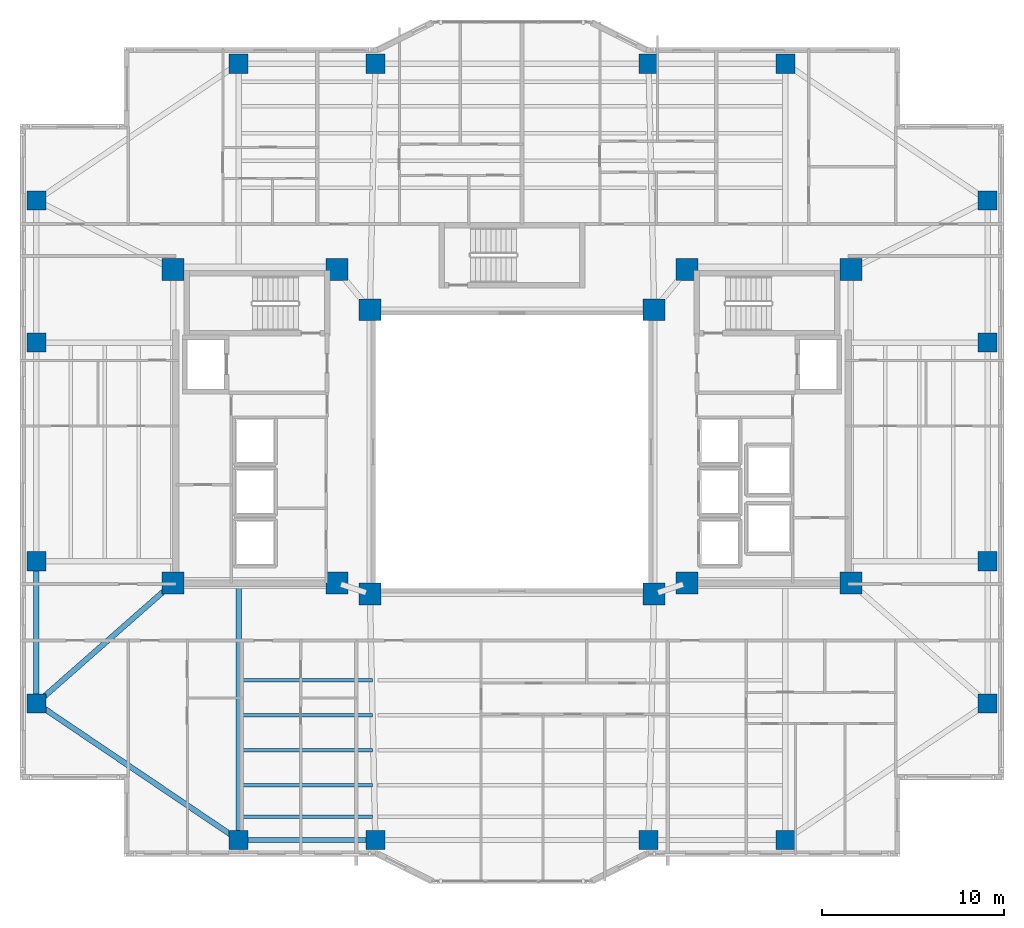
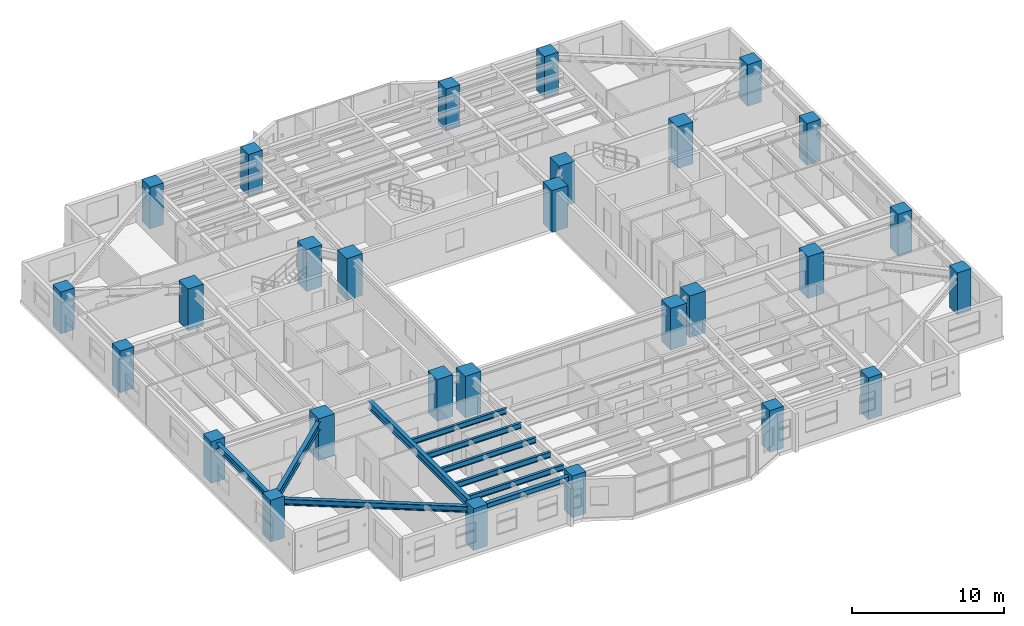
# One storey, part 1 of 19: 28 columns, 10 beams.
"""IFC4 building model written with IfcOpenShell, lengths in metres."""

from ifc_helpers import new_model, si_unit, direction, frame, origin, origin_2d, place, context, subcontext, project, spatial, rectangle, i_section, extrude, material, material_profile, profile_set, type_object, element, save


model = new_model("IFC4")

# Units and contexts
model_context = context("Model", 3, precision=1e-05, world=origin(), true_north=direction((0.0, 1.0)))
body_context = subcontext(model_context, "Body", "Model", "MODEL_VIEW")
ifc_project = project(units=[si_unit("LENGTHUNIT", "METRE"), si_unit("AREAUNIT", "SQUARE_METRE"), si_unit("VOLUMEUNIT", "CUBIC_METRE"), si_unit("PLANEANGLEUNIT", "RADIAN"), si_unit("MASSUNIT", "GRAM", prefix="KILO")], contexts=[model_context])

# Site, building, storey
site_placement = place(None, origin())
site = spatial("IfcSite", under=ifc_project, at=site_placement, CompositionType="ELEMENT")
building_placement = place(site_placement, origin())
building = spatial("IfcBuilding", under=site, at=building_placement, Name="Tarnavaz Court Tower", CompositionType="ELEMENT")
storey_placement = place(building_placement, frame((0.0, 0.0, 81.64990234375)))
storey = spatial("IfcBuildingStorey", under=building, at=storey_placement, Name="L21", CompositionType="ELEMENT", Elevation=81.64990234375)

# Columns
ifc_material_1 = material(Name="Concrete C60/75", Category="concrete")
ifc_material_profile_1 = material_profile(ifc_material_1, rectangle(XDim=1.050048828125, YDim=1.050048828125, at=origin_2d()), Name="RC 1050X1050")
ifc_profile_set_1 = profile_set([ifc_material_profile_1], Name="Concrete C60/75")
column_type_1 = type_object("IfcColumnType", Name="CL-RC1050", PredefinedType="COLUMN", material=ifc_profile_set_1)
for number, where, z_axis, x_axis, name in (
    (1, (-15.0, 21.300048828125, 0.0), (0.0, 0.0, 1.0), (1.0, 0.0, 0.0), "L21 Column PN-1"),
    (2, (-7.5, 21.300048828125, 0.0), (0.0, 0.0, 1.0), (1.0, 0.0, 0.0), "L21 Column PN-2"),
    (3, (7.5, 21.300048828125, 0.0), (0.0, 0.0, 1.0), (1.0, 0.0, 0.0), "L21 Column PN-3"),
    (4, (15.0, 21.300048828125, 0.0), (0.0, 0.0, 1.0), (1.0, 0.0, 0.0), "L21 Column PN-4"),
    (5, (-15.0, -21.300048828125, 0.0), (0.0, 0.0, 1.0), (1.0, 0.0, 0.0), "L21 Column PS-1"),
    (6, (-7.5, -21.300048828125, 0.0), (0.0, 0.0, 1.0), (1.0, 0.0, 0.0), "L21 Column PS-2"),
    (7, (7.5, -21.300048828125, 0.0), (0.0, 0.0, 1.0), (1.0, 0.0, 0.0), "L21 Column PS-3"),
    (8, (15.0, -21.300048828125, 0.0), (0.0, 0.0, 1.0), (1.0, 0.0, 0.0), "L21 Column PS-4"),
    (9, (26.10009765625, -13.800048828125, 0.0), (0.0, 0.0, 1.0), (1.0, 0.0, 0.0), "L21 Column PE-1"),
    (10, (26.10009765625, -6.0, 0.0), (0.0, 0.0, 1.0), (1.0, 0.0, 0.0), "L21 Column PE-2"),
    (11, (26.10009765625, 6.0, 0.0), (0.0, 0.0, 1.0), (1.0, 0.0, 0.0), "L21 Column PE-3"),
    (12, (26.10009765625, 13.800048828125, 0.0), (0.0, 0.0, 1.0), (1.0, 0.0, 0.0), "L21 Column PE-4"),
    (13, (-26.10009765625, -13.800048828125, 0.0), (0.0, 0.0, 1.0), (1.0, 0.0, 0.0), "L21 Column PW-1"),
    (14, (-26.10009765625, -6.0, 0.0), (0.0, 0.0, 1.0), (1.0, 0.0, 0.0), "L21 Column PW-2"),
    (15, (-26.10009765625, 6.0, 0.0), (0.0, 0.0, 1.0), (1.0, 0.0, 0.0), "L21 Column PW-3"),
    (16, (-26.10009765625, 13.800048828125, 0.0), (0.0, 0.0, 1.0), (1.0, 0.0, 0.0), "L21 Column PW-4"),
):
    element("IfcColumn", number, at=place(storey_placement, frame(where, z_axis=z_axis, x_axis=x_axis)), inside=storey, type_object=column_type_1, Name=name, PredefinedType="COLUMN", context=body_context, shape_type="SweptSolid", body=[
        extrude(rectangle(XDim=1.050048828125, YDim=1.050048828125, at=origin_2d()), origin(), (0.0, 0.0, 1.0), 3.35009765625),
    ])
ifc_material_profile_2 = material_profile(ifc_material_1, rectangle(XDim=1.199951171875, YDim=1.199951171875, at=origin_2d()), Name="RC 1200X1200")
ifc_profile_set_2 = profile_set([ifc_material_profile_2], Name="Concrete C60/75")
column_type_2 = type_object("IfcColumnType", Name="CL-RC1200", PredefinedType="COLUMN", material=ifc_profile_set_2)
for number, where, z_axis, x_axis, name in (
    (17, (-7.800048828125, -7.800048828125, 0.0), (0.0, 0.0, 1.0), (1.0, 0.0, 0.0), "L21 Column IW-SW"),
    (18, (7.800048828125, -7.800048828125, 0.0), (0.0, 0.0, 1.0), (1.0, 0.0, 0.0), "L21 Column IW-SE"),
    (19, (-7.800048828125, 7.800048828125, 0.0), (0.0, 0.0, 1.0), (1.0, 0.0, 0.0), "L21 Column IW-NW"),
    (20, (7.800048828125, 7.800048828125, 0.0), (0.0, 0.0, 1.0), (1.0, 0.0, 0.0), "L21 Column IW-NE"),
    (21, (-9.60009765625, -7.199951171875, 0.0), (0.0, 0.0, 1.0), (1.0, 0.0, 0.0), "L21 Column CW-SI"),
    (22, (-9.60009765625, 10.0, 0.0), (0.0, 0.0, 1.0), (1.0, 0.0, 0.0), "L21 Column CW-NI"),
    (23, (9.60009765625, -7.199951171875, 0.0), (0.0, 0.0, 1.0), (1.0, 0.0, 0.0), "L21 Column CE-SI"),
    (24, (9.60009765625, 10.0, 0.0), (0.0, 0.0, 1.0), (1.0, 0.0, 0.0), "L21 Column CE-NI"),
    (25, (-18.60009765625, -7.199951171875, 0.0), (0.0, 0.0, 1.0), (1.0, 0.0, 0.0), "L21 Column CW-SO"),
    (26, (-18.60009765625, 10.0, 0.0), (0.0, 0.0, 1.0), (1.0, 0.0, 0.0), "L21 Column CW-NO"),
    (27, (18.60009765625, -7.199951171875, 0.0), (0.0, 0.0, 1.0), (1.0, 0.0, 0.0), "L21 Column CE-SO"),
    (28, (18.60009765625, 10.0, 0.0), (0.0, 0.0, 1.0), (1.0, 0.0, 0.0), "L21 Column CE-NO"),
):
    element("IfcColumn", number, at=place(storey_placement, frame(where, z_axis=z_axis, x_axis=x_axis)), inside=storey, type_object=column_type_2, Name=name, PredefinedType="COLUMN", context=body_context, shape_type="SweptSolid", body=[
        extrude(rectangle(XDim=1.199951171875, YDim=1.199951171875, at=origin_2d()), origin(), (0.0, 0.0, 1.0), 3.35009765625),
    ])

# Beams
ifc_material_2 = material(Name="Steel S355", Category="steel")
ifc_material_profile_3 = material_profile(ifc_material_2, i_section(OverallWidth=0.300048828125, OverallDepth=0.64990234375, WebThickness=0.01611328125, FlangeThickness=0.031005859375, FilletRadius=0.027099609375, at=origin_2d()), Name="HEB 650")
ifc_profile_set_3 = profile_set([ifc_material_profile_3], Name="Steel S355")
beam_type_1 = type_object("IfcBeamType", Name="BM-G-HEB650", PredefinedType="USERDEFINED", material=ifc_profile_set_3)
beam_1_placement = place(storey_placement, frame((-15.0, -7.239990234375, 2.775146484375), z_axis=(0.0, -1.0, 0.0), x_axis=(1.0, 0.0, 0.0)))
element("IfcBeam", 29, at=beam_1_placement, inside=storey, type_object=beam_type_1, Name="L21 Beam RG-05", ObjectType="GIRDER", PredefinedType="USERDEFINED", context=body_context, shape_type="SweptSolid", body=[
    extrude(i_section(OverallWidth=0.300048828125, OverallDepth=0.64990234375, WebThickness=0.01611328125, FlangeThickness=0.031005859375, FilletRadius=0.027099609375, at=origin_2d()), origin(), (0.0, 0.0, 1.0), 13.840087890625),
])
beam_2_placement = place(storey_placement, frame((-18.76513671875, -7.34521484375, 2.775146484375), z_axis=(-0.750700332035, -0.660642877417, 0.0), x_axis=(0.660642877417, -0.750700332035, 0.0)))
element("IfcBeam", 30, at=beam_2_placement, inside=storey, type_object=beam_type_1, Name="L21 Beam RG-15", ObjectType="GIRDER", PredefinedType="USERDEFINED", context=body_context, shape_type="SweptSolid", body=[
    extrude(i_section(OverallWidth=0.300048828125, OverallDepth=0.64990234375, WebThickness=0.01611328125, FlangeThickness=0.031005859375, FilletRadius=0.027099609375, at=origin_2d()), origin(), (0.0, 0.0, 1.0), 9.550537109375),
])
ifc_material_profile_4 = material_profile(ifc_material_2, i_section(OverallWidth=0.18994140625, OverallDepth=0.449951171875, WebThickness=0.009521484375, FlangeThickness=0.0146484375, FilletRadius=0.02099609375, at=origin_2d()), Name="IPE 450")
ifc_profile_set_4 = profile_set([ifc_material_profile_4], Name="Steel S355")
beam_type_2 = type_object("IfcBeamType", Name="BM-J-IPE450", PredefinedType="JOIST", material=ifc_profile_set_4)
for number, where, z_axis, x_axis, name in (
    (31, (-14.85009765625, -12.52587890625, 2.875), (1.0, 0.0, 0.0), (0.0, 1.0, 0.0), "L21 Beam JS1-1"),
    (32, (-14.85009765625, -14.451904296875, 2.875), (1.0, 0.0, 0.0), (0.0, 1.0, 0.0), "L21 Beam JS2-1"),
    (33, (-14.85009765625, -16.3779296875, 2.875), (1.0, 0.0, 0.0), (0.0, 1.0, 0.0), "L21 Beam JS3-1"),
    (34, (-14.85009765625, -18.303955078125, 2.875), (1.0, 0.0, 0.0), (0.0, 1.0, 0.0), "L21 Beam JS4-1"),
    (35, (-14.85009765625, -20.01611328125, 2.875), (1.0, 0.0, 0.0), (0.0, 1.0, 0.0), "L21 Beam JS5-1"),
):
    element("IfcBeam", number, at=place(storey_placement, frame(where, z_axis=z_axis, x_axis=x_axis)), inside=storey, type_object=beam_type_2, Name=name, PredefinedType="JOIST", context=body_context, shape_type="SweptSolid", body=[
        extrude(i_section(OverallWidth=0.18994140625, OverallDepth=0.449951171875, WebThickness=0.009521484375, FlangeThickness=0.0146484375, FilletRadius=0.02099609375, at=origin_2d()), origin(), (0.0, 0.0, 1.0), 7.2001953125),
    ])
ifc_material_profile_5 = material_profile(ifc_material_2, i_section(OverallWidth=0.300048828125, OverallDepth=0.489990234375, WebThickness=0.011962890625, FlangeThickness=0.02294921875, FilletRadius=0.027099609375, at=origin_2d()), Name="HEA 500")
ifc_profile_set_5 = profile_set([ifc_material_profile_5], Name="Steel S355")
beam_type_3 = type_object("IfcBeamType", Name="BM-SP-HEA500", PredefinedType="SPANDREL", material=ifc_profile_set_5)
beam_3_placement = place(storey_placement, frame((-14.780029296875, -21.300048828125, 2.85498046875), z_axis=(1.0, 0.0, 0.0), x_axis=(0.0, 1.0, 0.0)))
element("IfcBeam", 36, at=beam_3_placement, inside=storey, type_object=beam_type_3, Name="L21 Beam PR-PS-1-PS-2", PredefinedType="SPANDREL", context=body_context, shape_type="SweptSolid", body=[
    extrude(i_section(OverallWidth=0.300048828125, OverallDepth=0.489990234375, WebThickness=0.011962890625, FlangeThickness=0.02294921875, FilletRadius=0.027099609375, at=origin_2d()), origin(), (0.0, 0.0, 1.0), 7.06005859375),
])
beam_4_placement = place(storey_placement, frame((-26.10009765625, -13.580078125, 2.85498046875), z_axis=(0.0, 1.0, 0.0), x_axis=(-1.0, 0.0, 0.0)))
element("IfcBeam", 37, at=beam_4_placement, inside=storey, type_object=beam_type_3, Name="L21 Beam PR-PW-1-PW-2", PredefinedType="SPANDREL", context=body_context, shape_type="SweptSolid", body=[
    extrude(i_section(OverallWidth=0.300048828125, OverallDepth=0.489990234375, WebThickness=0.011962890625, FlangeThickness=0.02294921875, FilletRadius=0.027099609375, at=origin_2d()), origin(), (0.0, 0.0, 1.0), 7.360107421875),
])
beam_5_placement = place(storey_placement, frame((-15.182373046875, -21.1767578125, 2.85498046875), z_axis=(-0.828587314918, 0.559859858854, 0.0), x_axis=(-0.559859858854, -0.828587314918, 0.0)))
element("IfcBeam", 38, at=beam_5_placement, inside=storey, type_object=beam_type_3, Name="L21 Beam PR-PS-1-PW-1", PredefinedType="SPANDREL", context=body_context, shape_type="SweptSolid", body=[
    extrude(i_section(OverallWidth=0.300048828125, OverallDepth=0.489990234375, WebThickness=0.011962890625, FlangeThickness=0.02294921875, FilletRadius=0.027099609375, at=origin_2d()), origin(), (0.0, 0.0, 1.0), 12.956298828125),
])

save(model, "model.ifc")
